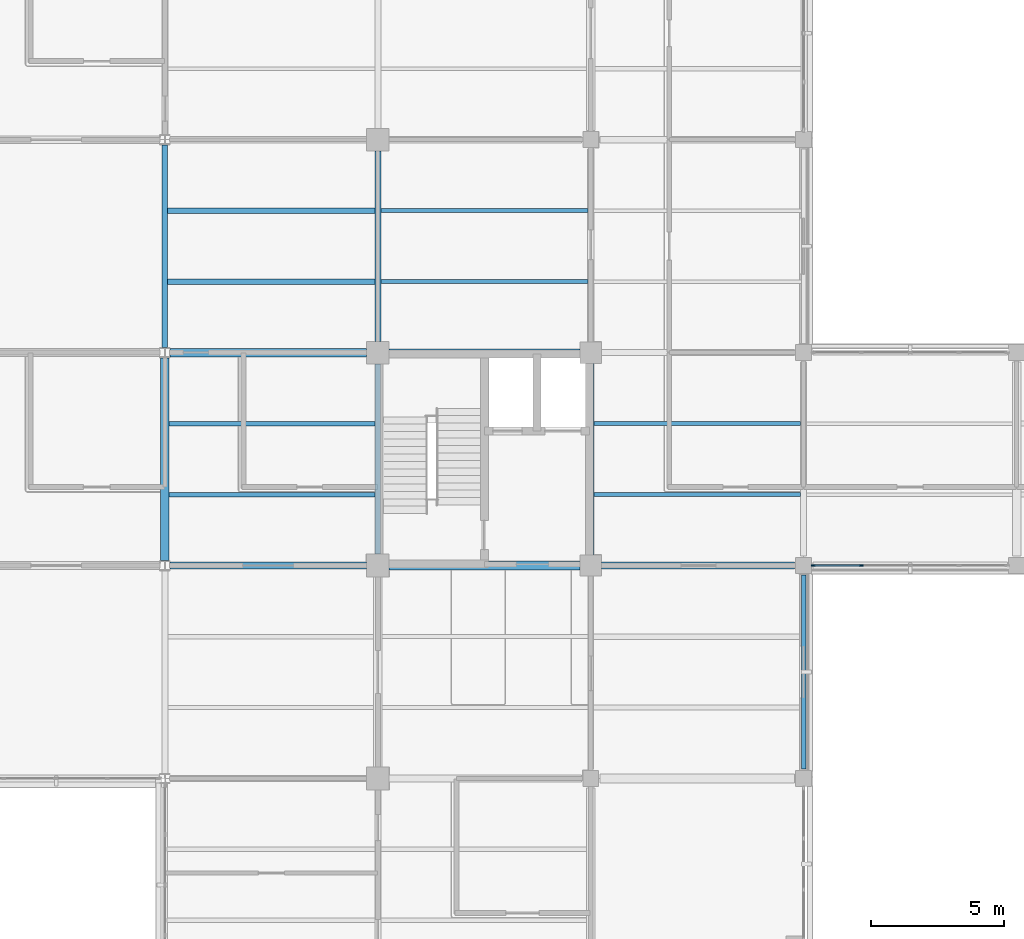
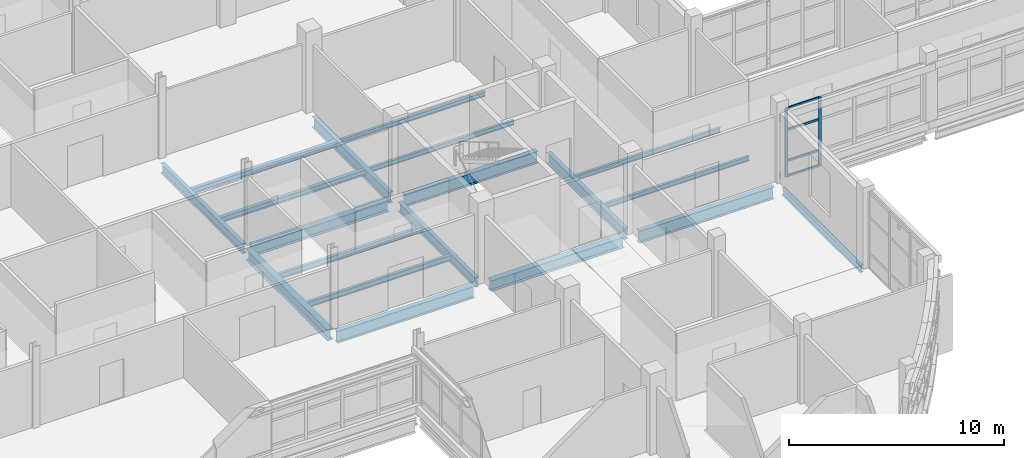
# One storey, part 29 of 121: 19 beams, 6 members, 1 element without a shape of its own.
"""IFC4 building model written with IfcOpenShell, lengths in metres."""

import ifcopenshell
import ifcopenshell.guid

model = None  # the IFC model being written
_history = None  # IfcOwnerHistory: only IFC2X3 demands one
_inside = {}  # id of a spatial element -> (the spatial element, [elements in it])
_under = {}  # id of a project, library or spatial element -> (it, [spatial elements below it])
_declared = {}  # id of a project -> (the project, [libraries it declares])
_typed = {}  # id of a type object -> (the type object, [elements of that type])
_made_of = {}  # id of a material, layer set ... -> (it, [elements and type objects made of it])


def new_model(schema):
    """Start an empty IFC model of exactly this schema.

    Asked for "IFC4X3", IfcOpenShell would pick the latest addendum, in which some entities
    have other attributes; the version numbers below select the first issue.
    IFC2X3 requires an IfcOwnerHistory on every rooted entity: one is made here for all.
    """
    global model, _history
    if schema == "IFC4X3":
        model = ifcopenshell.file(schema_version=(4, 3, 0, 0))
    else:
        model = ifcopenshell.file(schema=schema)
    _inside.clear()
    _under.clear()
    _declared.clear()
    _typed.clear()
    _made_of.clear()
    _history = None
    if model.schema == "IFC2X3":
        org = make("IfcOrganization", Name="unknown")
        user = make(
            "IfcPersonAndOrganization",
            ThePerson=make("IfcPerson", FamilyName="unknown"),
            TheOrganization=org,
        )
        app = make(
            "IfcApplication",
            ApplicationDeveloper=org,
            Version="unknown",
            ApplicationFullName="unknown",
            ApplicationIdentifier="unknown",
        )
        _history = make(
            "IfcOwnerHistory",
            OwningUser=user,
            OwningApplication=app,
            ChangeAction="ADDED",
            CreationDate=0,
        )
    return model


def make(cls, **values):
    """One entity of the class cls with the attributes given. An attribute that is None is left unset."""
    return model.create_entity(
        cls, **{name: value for name, value in values.items() if value is not None}
    )


def rooted(cls, **values):
    """An entity with a GlobalId (a new one), such as an element, a storey or a relation."""
    return make(cls, GlobalId=ifcopenshell.guid.new(), OwnerHistory=_history, **values)


def si_unit(unit_type, name, prefix=None):
    """IfcSIUnit, for example si_unit("LENGTHUNIT", "METRE", prefix="MILLI")."""
    return make("IfcSIUnit", UnitType=unit_type, Prefix=prefix, Name=name)


def derived_unit(unit_type, elements):
    """IfcDerivedUnit: a product of units, each with its exponent."""
    return make(
        "IfcDerivedUnit",
        Elements=[
            make("IfcDerivedUnitElement", Unit=unit, Exponent=power)
            for unit, power in elements
        ],
        UnitType=unit_type,
    )


def assignment(units):
    """IfcUnitAssignment: the units of a project."""
    return None if units is None else make("IfcUnitAssignment", Units=units)


def point(xyz):
    """IfcCartesianPoint."""
    return None if xyz is None else make("IfcCartesianPoint", Coordinates=xyz)


def direction(xyz):
    """IfcDirection."""
    return None if xyz is None else make("IfcDirection", DirectionRatios=xyz)


def frame(location, z_axis=None, x_axis=None):
    """IfcAxis2Placement3D, a coordinate frame: its origin and axes. An axis left out is left unset."""
    return make(
        "IfcAxis2Placement3D",
        Location=point(location),
        Axis=direction(z_axis),
        RefDirection=direction(x_axis),
    )


def frame_2d(location, x_axis=None):
    """IfcAxis2Placement2D, a coordinate frame in the plane: its origin and x axis."""
    return make(
        "IfcAxis2Placement2D", Location=point(location), RefDirection=direction(x_axis)
    )


def origin():
    """The frame at (0, 0, 0) with its axes left unset."""
    return frame((0.0, 0.0, 0.0))


def origin_2d():
    """The frame at (0, 0) in the plane with its x axis left unset."""
    return frame_2d((0.0, 0.0))


def place(relative_to, where):
    """IfcLocalPlacement: puts the frame where relative to a parent placement (None: the world)."""
    return make(
        "IfcLocalPlacement", PlacementRelTo=relative_to, RelativePlacement=where
    )


def context(
    kind, dimensions, precision=None, world=None, true_north=None, identifier=None
):
    """IfcGeometricRepresentationContext, for example the 3D "Model" context."""
    return make(
        "IfcGeometricRepresentationContext",
        ContextIdentifier=identifier,
        ContextType=kind,
        CoordinateSpaceDimension=dimensions,
        Precision=precision,
        WorldCoordinateSystem=world,
        TrueNorth=true_north,
    )


def subcontext(parent, identifier, kind, view, scale=None):
    """IfcGeometricRepresentationSubContext, for example "Body" below "Model"."""
    return make(
        "IfcGeometricRepresentationSubContext",
        ContextIdentifier=identifier,
        ContextType=kind,
        ParentContext=parent,
        TargetScale=scale,
        TargetView=view,
    )


def project(units=None, contexts=None):
    """IfcProject with its units and contexts."""
    return rooted(
        "IfcProject",
        Name="project",
        RepresentationContexts=contexts,
        UnitsInContext=assignment(units),
    )


def spatial(cls, under=None, at=None, **own):
    """A site, building, storey or space (cls), placed at a placement, below another one or the project."""
    s = rooted(cls, ObjectPlacement=at, **own)
    if under is not None:
        _under.setdefault(under.id(), (under, []))[1].append(s)
    return s


def profile(cls, at=None, kind="AREA", **sizes):
    """A parametric profile (cls). Its sizes go by their IFC names, for example OverallWidth=200.0."""
    return make(cls, ProfileType=kind, Position=at, **sizes)


def rectangle(**sizes):
    """IfcRectangleProfileDef."""
    return profile("IfcRectangleProfileDef", **sizes)


def i_section(**sizes):
    """IfcIShapeProfileDef."""
    return profile("IfcIShapeProfileDef", **sizes)


def extrude(swept, where, along, depth):
    """IfcExtrudedAreaSolid: the profile swept, set in the frame where, extruded along a direction by depth."""
    return make(
        "IfcExtrudedAreaSolid",
        SweptArea=swept,
        Position=where,
        ExtrudedDirection=direction(along),
        Depth=depth,
    )


def shape(context_of_items, identifier, shape_type, items):
    """IfcShapeRepresentation: the items that make up one representation, for example the "Body"."""
    return make(
        "IfcShapeRepresentation",
        ContextOfItems=context_of_items,
        RepresentationIdentifier=identifier,
        RepresentationType=shape_type,
        Items=items,
    )


def material(Name=None, Category=None):
    """IfcMaterial."""
    return make("IfcMaterial", Name=Name, Category=Category)


def layer(
    of_material, thickness, ventilated=None, Name=None, Category=None, Priority=None
):
    """IfcMaterialLayer: one layer of a wall or slab, of a material (None: an air gap)."""
    return make(
        "IfcMaterialLayer",
        Material=of_material,
        LayerThickness=thickness,
        IsVentilated=ventilated,
        Name=Name,
        Category=Category,
        Priority=Priority,
    )


def layer_set(layers, Name=None):
    """IfcMaterialLayerSet."""
    return make("IfcMaterialLayerSet", MaterialLayers=layers, LayerSetName=Name)


def material_profile(
    of_material, cross_section, Name=None, Category=None, Priority=None
):
    """IfcMaterialProfile: a cross section and its material."""
    return make(
        "IfcMaterialProfile",
        Name=Name,
        Material=of_material,
        Profile=cross_section,
        Priority=Priority,
        Category=Category,
    )


def profile_set(profiles, Name=None, composite=None):
    """IfcMaterialProfileSet."""
    return make(
        "IfcMaterialProfileSet",
        Name=Name,
        MaterialProfiles=profiles,
        CompositeProfile=composite,
    )


def made_of(thing, what):
    """Note that an element or type object is made of a material, layer set ...; save() writes the relation."""
    if what is not None:
        _made_of.setdefault(what.id(), (what, []))[1].append(thing)
    return thing


def type_object(cls, material=None, **own):
    """A type object (cls), such as IfcWallType, which elements share."""
    return made_of(rooted(cls, **own), material)


def element(
    cls,
    number,
    at=None,
    inside=None,
    cuts=None,
    type_object=None,
    material=None,
    context=None,
    identifier="Body",
    shape_type=None,
    held_by="IfcProductDefinitionShape",
    body=None,
    shapes=None,
    **own,
):
    """One element of the class cls, such as IfcWall. Its Tag is "e" and its number.

    at: its placement. inside: the storey or other place that contains it. cuts: it is an
    opening in that element (IfcRelVoidsElement). A single representation is given by context,
    identifier, shape_type and body (its items); several are given by shapes. held_by: the class
    of the entity that holds the representations. save() writes the other relations.
    """
    e = rooted(cls, Tag="e%d" % number, ObjectPlacement=at, **own)
    if body is not None:
        shapes = [shape(context, identifier, shape_type, body)]
    if shapes is not None:
        e.Representation = make(held_by, Representations=shapes)
    if inside is not None:
        _inside.setdefault(inside.id(), (inside, []))[1].append(e)
    if cuts is not None:
        rooted(
            "IfcRelVoidsElement", RelatingBuildingElement=cuts, RelatedOpeningElement=e
        )
    if type_object is not None:
        _typed.setdefault(type_object.id(), (type_object, []))[1].append(e)
    return made_of(e, material)


def aggregate(whole, parts):
    """IfcRelAggregates: a whole, such as a stair, and the parts it consists of."""
    return rooted("IfcRelAggregates", RelatingObject=whole, RelatedObjects=parts)


def save(model, path):
    """Write the relations noted so far, then the file.

    IfcRelAggregates (storeys below a building ...), IfcRelContainedInSpatialStructure (elements
    in a storey), IfcRelDefinesByType, IfcRelAssociatesMaterial and IfcRelDeclares: one each for
    every whole, place, type object, material and project.
    """
    for whole, parts in _under.values():
        aggregate(whole, parts)
    for where, things in _inside.values():
        rooted(
            "IfcRelContainedInSpatialStructure",
            RelatedElements=things,
            RelatingStructure=where,
        )
    for kind, things in _typed.values():
        rooted("IfcRelDefinesByType", RelatedObjects=things, RelatingType=kind)
    for what, things in _made_of.values():
        rooted("IfcRelAssociatesMaterial", RelatedObjects=things, RelatingMaterial=what)
    for by, libraries in _declared.values():
        rooted("IfcRelDeclares", RelatingContext=by, RelatedDefinitions=libraries)
    model.write(path)


model = new_model("IFC4")

# Units and contexts
model_context = context("Model", 3, precision=1e-05, world=origin(), true_north=direction((0.0, 1.0)))
body_context = subcontext(model_context, "Body", "Model", "MODEL_VIEW")
ifc_project = project(units=[si_unit("LENGTHUNIT", "METRE"), si_unit("AREAUNIT", "SQUARE_METRE"), si_unit("VOLUMEUNIT", "CUBIC_METRE"), si_unit("PLANEANGLEUNIT", "RADIAN"), si_unit("MASSUNIT", "GRAM", prefix="KILO"), derived_unit("THERMALTRANSMITTANCEUNIT", [(si_unit("MASSUNIT", "GRAM", prefix="KILO"), 1), (si_unit("TIMEUNIT", "SECOND"), -3), (si_unit("THERMODYNAMICTEMPERATUREUNIT", "KELVIN"), -1)])], contexts=[model_context])

# Site, building, storey
site_placement = place(None, origin())
site = spatial("IfcSite", under=ifc_project, at=site_placement, CompositionType="ELEMENT")
building_placement = place(site_placement, origin())
building = spatial("IfcBuilding", under=site, at=building_placement, Name="Veyamyaing Civic Hall", CompositionType="ELEMENT")
storey_placement = place(building_placement, frame((0.0, 0.0, 5.280029296875)))
storey = spatial("IfcBuildingStorey", under=building, at=storey_placement, Name="L01", CompositionType="ELEMENT", Elevation=5.280029296875)

# Beams
ifc_material_1 = material(Name="Steel ASTM A992", Category="steel")
ifc_material_profile_1 = material_profile(ifc_material_1, i_section(OverallWidth=0.256103515625, OverallDepth=0.693115234375, WebThickness=0.014404296875, FlangeThickness=0.023681640625, FilletRadius=0.013916015625, at=origin_2d()), Name="W690X170")
ifc_profile_set_1 = profile_set([ifc_material_profile_1], Name="Steel ASTM A992")
beam_type_1 = type_object("IfcBeamType", Name="B-04", PredefinedType="BEAM", material=ifc_profile_set_1)
beam_1_placement = place(storey_placement, frame((112.39990234375, 48.0, -0.591552734375), z_axis=(1.0, 0.0, 0.0), x_axis=(0.0, 1.0, 0.0)))
element("IfcBeam", 1, at=beam_1_placement, inside=storey, type_object=beam_type_1, Name="Girder B-04 L01 Grid G 15-16", PredefinedType="BEAM", context=body_context, shape_type="SweptSolid", body=[
    extrude(i_section(OverallWidth=0.256103515625, OverallDepth=0.693115234375, WebThickness=0.014404296875, FlangeThickness=0.023681640625, FilletRadius=0.013916015625, at=origin_2d()), origin(), (0.0, 0.0, 1.0), 7.25),
])
beam_2_placement = place(storey_placement, frame((104.425048828125, 56.0, -0.591552734375), z_axis=(1.0, 0.0, 0.0), x_axis=(0.0, 1.0, 0.0)))
element("IfcBeam", 2, at=beam_2_placement, inside=storey, type_object=beam_type_1, Name="Girder B-04 L01 Grid H 14-15", PredefinedType="BEAM", context=body_context, shape_type="SweptSolid", body=[
    extrude(i_section(OverallWidth=0.256103515625, OverallDepth=0.693115234375, WebThickness=0.014404296875, FlangeThickness=0.023681640625, FilletRadius=0.013916015625, at=origin_2d()), origin(), (0.0, 0.0, 1.0), 7.175048828125),
])
ifc_material_profile_2 = material_profile(ifc_material_1, i_section(OverallWidth=0.22998046875, OverallDepth=0.616943359375, WebThickness=0.01318359375, FlangeThickness=0.022216796875, FilletRadius=0.012939453125, at=origin_2d()), Name="W610X140")
ifc_profile_set_2 = profile_set([ifc_material_profile_2], Name="Steel ASTM A992")
beam_type_2 = type_object("IfcBeamType", Name="B-05", PredefinedType="BEAM", material=ifc_profile_set_2)
beam_3_placement = place(storey_placement, frame((104.0, 56.425048828125, -0.553466796875), z_axis=(0.0, 1.0, 0.0), x_axis=(-1.0, 0.0, 0.0)))
element("IfcBeam", 3, at=beam_3_placement, inside=storey, type_object=beam_type_2, Name="Girder B-05 L01 Grid 14 H-J", PredefinedType="BEAM", context=body_context, shape_type="SweptSolid", body=[
    extrude(i_section(OverallWidth=0.22998046875, OverallDepth=0.616943359375, WebThickness=0.01318359375, FlangeThickness=0.022216796875, FilletRadius=0.012939453125, at=origin_2d()), origin(), (0.0, 0.0, 1.0), 7.14990234375),
])
beam_4_placement = place(storey_placement, frame((112.0, 48.39990234375, -0.553466796875), z_axis=(0.0, 1.0, 0.0), x_axis=(-1.0, 0.0, 0.0)))
element("IfcBeam", 4, at=beam_4_placement, inside=storey, type_object=beam_type_2, Name="Girder B-05 L01 Grid 15 G-H", PredefinedType="BEAM", context=body_context, shape_type="SweptSolid", body=[
    extrude(i_section(OverallWidth=0.22998046875, OverallDepth=0.616943359375, WebThickness=0.01318359375, FlangeThickness=0.022216796875, FilletRadius=0.012939453125, at=origin_2d()), origin(), (0.0, 0.0, 1.0), 7.2001953125),
])
ifc_material_profile_3 = material_profile(ifc_material_1, i_section(OverallWidth=0.25390625, OverallDepth=0.68408203125, WebThickness=0.012451171875, FlangeThickness=0.01904296875, FilletRadius=0.013916015625, at=origin_2d()), Name="W690X140")
ifc_profile_set_3 = profile_set([ifc_material_profile_3], Name="Steel ASTM A992")
beam_type_3 = type_object("IfcBeamType", Name="B-14", PredefinedType="BEAM", material=ifc_profile_set_3)
beam_5_placement = place(storey_placement, frame((96.198974609375, 48.0, -0.5869140625), z_axis=(1.0, 0.0, 0.0), x_axis=(0.0, 1.0, 0.0)))
element("IfcBeam", 5, at=beam_5_placement, inside=storey, type_object=beam_type_3, Name="Girder B-14 L01 Grid G 13-14", PredefinedType="BEAM", context=body_context, shape_type="SweptSolid", body=[
    extrude(i_section(OverallWidth=0.25390625, OverallDepth=0.68408203125, WebThickness=0.012451171875, FlangeThickness=0.01904296875, FilletRadius=0.013916015625, at=origin_2d()), origin(), (0.0, 0.0, 1.0), 7.3759765625),
])
ifc_material_profile_4 = material_profile(ifc_material_1, i_section(OverallWidth=0.324951171875, OverallDepth=0.615966796875, WebThickness=0.013916015625, FlangeThickness=0.021484375, FilletRadius=0.013916015625, at=origin_2d()), Name="W610X174")
ifc_profile_set_4 = profile_set([ifc_material_profile_4], Name="Steel ASTM A992")
beam_type_4 = type_object("IfcBeamType", Name="B-15", PredefinedType="BEAM", material=ifc_profile_set_4)
beam_6_placement = place(storey_placement, frame((104.425048828125, 48.0, -0.552978515625), z_axis=(1.0, 0.0, 0.0), x_axis=(0.0, 1.0, 0.0)))
element("IfcBeam", 6, at=beam_6_placement, inside=storey, type_object=beam_type_4, Name="Girder B-15 L01 Grid G 14-15", PredefinedType="BEAM", context=body_context, shape_type="SweptSolid", body=[
    extrude(i_section(OverallWidth=0.324951171875, OverallDepth=0.615966796875, WebThickness=0.013916015625, FlangeThickness=0.021484375, FilletRadius=0.013916015625, at=origin_2d()), origin(), (0.0, 0.0, 1.0), 7.175048828125),
])
beam_7_placement = place(storey_placement, frame((96.198974609375, 56.0, -0.552978515625), z_axis=(1.0, 0.0, 0.0), x_axis=(0.0, 1.0, 0.0)))
element("IfcBeam", 7, at=beam_7_placement, inside=storey, type_object=beam_type_4, Name="Girder B-15 L01 Grid H 13-14", PredefinedType="BEAM", context=body_context, shape_type="SweptSolid", body=[
    extrude(i_section(OverallWidth=0.324951171875, OverallDepth=0.615966796875, WebThickness=0.013916015625, FlangeThickness=0.021484375, FilletRadius=0.013916015625, at=origin_2d()), origin(), (0.0, 0.0, 1.0), 7.3759765625),
])
beam_8_placement = place(storey_placement, frame((96.0, 48.193603515625, -0.552978515625), z_axis=(0.0, 1.0, 0.0), x_axis=(-1.0, 0.0, 0.0)))
element("IfcBeam", 8, at=beam_8_placement, inside=storey, type_object=beam_type_4, Name="Girder B-15 L01 Grid 13 G-H", PredefinedType="BEAM", context=body_context, shape_type="SweptSolid", body=[
    extrude(i_section(OverallWidth=0.324951171875, OverallDepth=0.615966796875, WebThickness=0.013916015625, FlangeThickness=0.021484375, FilletRadius=0.013916015625, at=origin_2d()), origin(), (0.0, 0.0, 1.0), 7.61279296875),
])
ifc_material_profile_5 = material_profile(ifc_material_1, i_section(OverallWidth=0.214111328125, OverallDepth=0.549072265625, WebThickness=0.0146484375, FlangeThickness=0.023681640625, FilletRadius=0.011962890625, at=origin_2d()), Name="W530X138")
ifc_profile_set_5 = profile_set([ifc_material_profile_5], Name="Steel ASTM A992")
beam_type_5 = type_object("IfcBeamType", Name="B-16", PredefinedType="BEAM", material=ifc_profile_set_5)
beam_9_placement = place(storey_placement, frame((96.0, 56.193603515625, -0.51953125), z_axis=(0.0, 1.0, 0.0), x_axis=(-1.0, 0.0, 0.0)))
element("IfcBeam", 9, at=beam_9_placement, inside=storey, type_object=beam_type_5, Name="Girder B-16 L01 Grid 13 H-J", PredefinedType="BEAM", context=body_context, shape_type="SweptSolid", body=[
    extrude(i_section(OverallWidth=0.214111328125, OverallDepth=0.549072265625, WebThickness=0.0146484375, FlangeThickness=0.023681640625, FilletRadius=0.011962890625, at=origin_2d()), origin(), (0.0, 0.0, 1.0), 7.61279296875),
])
beam_10_placement = place(storey_placement, frame((104.0, 48.425048828125, -0.51953125), z_axis=(0.0, 1.0, 0.0), x_axis=(-1.0, 0.0, 0.0)))
element("IfcBeam", 10, at=beam_10_placement, inside=storey, type_object=beam_type_5, Name="Girder B-16 L01 Grid 14 G-H", PredefinedType="BEAM", context=body_context, shape_type="SweptSolid", body=[
    extrude(i_section(OverallWidth=0.214111328125, OverallDepth=0.549072265625, WebThickness=0.0146484375, FlangeThickness=0.023681640625, FilletRadius=0.011962890625, at=origin_2d()), origin(), (0.0, 0.0, 1.0), 7.14990234375),
])
ifc_material_profile_6 = material_profile(ifc_material_1, i_section(OverallWidth=0.180908203125, OverallDepth=0.4169921875, WebThickness=0.010986328125, FlangeThickness=0.018310546875, FilletRadius=0.010009765625, at=origin_2d()), Name="W410X85")
ifc_profile_set_6 = profile_set([ifc_material_profile_6], Name="Steel ASTM A992")
beam_type_6 = type_object("IfcBeamType", Name="B-19", PredefinedType="SPANDREL", material=ifc_profile_set_6)
beam_11_placement = place(storey_placement, frame((120.0, 40.35009765625, -0.45361328125), z_axis=(0.0, 1.0, 0.0), x_axis=(-1.0, 0.0, 0.0)))
element("IfcBeam", 11, at=beam_11_placement, inside=storey, type_object=beam_type_6, Name="Girder B-19 L01 Grid 16 F-G", PredefinedType="SPANDREL", context=body_context, shape_type="SweptSolid", body=[
    extrude(i_section(OverallWidth=0.180908203125, OverallDepth=0.4169921875, WebThickness=0.010986328125, FlangeThickness=0.018310546875, FilletRadius=0.010009765625, at=origin_2d()), origin(), (0.0, 0.0, 1.0), 7.2998046875),
])

# Curtain wall, members
ifc_material_2 = material(Name="Anodised aluminium 6063-T6", Category="aluminium")
ifc_layer = layer(ifc_material_2, 0.159912109375, Name="Anodised aluminium 6063-T6")
ifc_layer_set = layer_set([ifc_layer], Name="Anodised aluminium 6063-T6")
curtain_wall_type = type_object("IfcCurtainWallType", Name="CW-02", PredefinedType="NOTDEFINED", material=ifc_layer_set)
curtain_wall_placement = place(storey_placement, origin())
curtain_wall = element("IfcCurtainWall", 12, at=curtain_wall_placement, inside=storey, type_object=curtain_wall_type, Name="Unitized curtain wall CW-02 L01 S 16.7", PredefinedType="NOTDEFINED")
ifc_material_profile_7 = material_profile(ifc_material_2, rectangle(XDim=0.06494140625, YDim=0.159912109375, at=origin_2d()), Name="ALU-MUL-65X160")
ifc_profile_set_7 = profile_set([ifc_material_profile_7], Name="Anodised aluminium 6063-T6")
member_type_1 = type_object("IfcMemberType", Name="CWM-01", PredefinedType="MULLION", material=ifc_profile_set_7)
member_1_placement = place(storey_placement, frame((120.362548828125, 48.0, 0.0), z_axis=(0.0, 0.0, 1.0), x_axis=(0.0, 1.0, 0.0)))
member_1 = element("IfcMember", 13, at=member_1_placement, type_object=member_type_1, Name="CW-02 mullion 1", PredefinedType="MULLION", context=body_context, shape_type="SweptSolid", body=[
    extrude(rectangle(XDim=0.06494140625, YDim=0.159912109375, at=origin_2d()), origin(), (0.0, 0.0, 1.0), 3.9140625),
])
member_2_placement = place(storey_placement, frame((122.1650390625, 48.0, 0.0), z_axis=(0.0, 0.0, 1.0), x_axis=(0.0, 1.0, 0.0)))
member_2 = element("IfcMember", 14, at=member_2_placement, type_object=member_type_1, Name="CW-02 mullion 2", PredefinedType="MULLION", context=body_context, shape_type="SweptSolid", body=[
    extrude(rectangle(XDim=0.06494140625, YDim=0.159912109375, at=origin_2d()), origin(), (0.0, 0.0, 1.0), 3.9140625),
])
ifc_material_profile_8 = material_profile(ifc_material_2, rectangle(XDim=0.06494140625, YDim=0.1201171875, at=origin_2d()), Name="ALU-TRN-65X120")
ifc_profile_set_8 = profile_set([ifc_material_profile_8], Name="Anodised aluminium 6063-T6")
member_type_2 = type_object("IfcMemberType", Name="CWT-01", PredefinedType="USERDEFINED", material=ifc_profile_set_8)
member_3_placement = place(storey_placement, frame((120.39501953125, 48.0, 0.032470703125), z_axis=(1.0, 0.0, 0.0), x_axis=(0.0, 1.0, 0.0)))
member_3 = element("IfcMember", 15, at=member_3_placement, type_object=member_type_2, Name="CW-02 transom 1.1", ObjectType="TRANSOM", PredefinedType="USERDEFINED", context=body_context, shape_type="SweptSolid", body=[
    extrude(rectangle(XDim=0.06494140625, YDim=0.1201171875, at=origin_2d()), origin(), (0.0, 0.0, 1.0), 1.737548828125),
])
member_4_placement = place(storey_placement, frame((120.39501953125, 48.0, 0.89990234375), z_axis=(1.0, 0.0, 0.0), x_axis=(0.0, 1.0, 0.0)))
member_4 = element("IfcMember", 16, at=member_4_placement, type_object=member_type_2, Name="CW-02 transom 1.2", ObjectType="TRANSOM", PredefinedType="USERDEFINED", context=body_context, shape_type="SweptSolid", body=[
    extrude(rectangle(XDim=0.06494140625, YDim=0.1201171875, at=origin_2d()), origin(), (0.0, 0.0, 1.0), 1.737548828125),
])
member_5_placement = place(storey_placement, frame((120.39501953125, 48.0, 2.661376953125), z_axis=(1.0, 0.0, 0.0), x_axis=(0.0, 1.0, 0.0)))
member_5 = element("IfcMember", 17, at=member_5_placement, type_object=member_type_2, Name="CW-02 transom 1.3", ObjectType="TRANSOM", PredefinedType="USERDEFINED", context=body_context, shape_type="SweptSolid", body=[
    extrude(rectangle(XDim=0.06494140625, YDim=0.1201171875, at=origin_2d()), origin(), (0.0, 0.0, 1.0), 1.737548828125),
])
member_6_placement = place(storey_placement, frame((120.39501953125, 48.0, 3.881591796875), z_axis=(1.0, 0.0, 0.0), x_axis=(0.0, 1.0, 0.0)))
member_6 = element("IfcMember", 18, at=member_6_placement, type_object=member_type_2, Name="CW-02 transom 1.4", ObjectType="TRANSOM", PredefinedType="USERDEFINED", context=body_context, shape_type="SweptSolid", body=[
    extrude(rectangle(XDim=0.06494140625, YDim=0.1201171875, at=origin_2d()), origin(), (0.0, 0.0, 1.0), 1.737548828125),
])
aggregate(curtain_wall, [member_1, member_2, member_3, member_4, member_5, member_6])

# Beams
ifc_material_profile_9 = material_profile(ifc_material_1, i_section(OverallWidth=0.1650390625, OverallDepth=0.31005859375, WebThickness=0.005859375, FlangeThickness=0.009765625, FilletRadius=0.010009765625, at=origin_2d()), Name="W310X39")
ifc_profile_set_9 = profile_set([ifc_material_profile_9], Name="Steel ASTM A992")
beam_type_7 = type_object("IfcBeamType", Name="J-05", PredefinedType="JOIST", material=ifc_profile_set_9)
for number, where, z_axis, x_axis, name in (
    (19, (96.160400390625, 50.666748046875, -0.400146484375), (1.0, 0.0, 0.0), (0.0, 1.0, 0.0), "Composite floor joist J-05 L01 13.7.1"),
    (20, (96.160400390625, 53.333251953125, -0.400146484375), (1.0, 0.0, 0.0), (0.0, 1.0, 0.0), "Composite floor joist J-05 L01 13.7.2"),
):
    element("IfcBeam", number, at=place(storey_placement, frame(where, z_axis=z_axis, x_axis=x_axis)), inside=storey, type_object=beam_type_7, Name=name, PredefinedType="JOIST", context=body_context, shape_type="SweptSolid", body=[
        extrude(i_section(OverallWidth=0.1650390625, OverallDepth=0.31005859375, WebThickness=0.005859375, FlangeThickness=0.009765625, FilletRadius=0.010009765625, at=origin_2d()), origin(), (0.0, 0.0, 1.0), 7.734619140625),
    ])
ifc_material_profile_10 = material_profile(ifc_material_1, i_section(OverallWidth=0.2041015625, OverallDepth=0.305908203125, WebThickness=0.008544921875, FlangeThickness=0.0146484375, FilletRadius=0.010009765625, at=origin_2d()), Name="W310X67")
ifc_profile_set_10 = profile_set([ifc_material_profile_10], Name="Steel ASTM A992")
beam_type_8 = type_object("IfcBeamType", Name="J-06", PredefinedType="JOIST", material=ifc_profile_set_10)
for number, where, z_axis, x_axis, name in (
    (21, (96.10498046875, 58.666748046875, -0.39794921875), (1.0, 0.0, 0.0), (0.0, 1.0, 0.0), "Composite floor joist J-06 L01 13.8.1"),
    (22, (96.10498046875, 61.333251953125, -0.39794921875), (1.0, 0.0, 0.0), (0.0, 1.0, 0.0), "Composite floor joist J-06 L01 13.8.2"),
):
    element("IfcBeam", number, at=place(storey_placement, frame(where, z_axis=z_axis, x_axis=x_axis)), inside=storey, type_object=beam_type_8, Name=name, PredefinedType="JOIST", context=body_context, shape_type="SweptSolid", body=[
        extrude(i_section(OverallWidth=0.2041015625, OverallDepth=0.305908203125, WebThickness=0.008544921875, FlangeThickness=0.0146484375, FilletRadius=0.010009765625, at=origin_2d()), origin(), (0.0, 0.0, 1.0), 7.781982421875),
    ])
ifc_material_profile_11 = material_profile(ifc_material_1, i_section(OverallWidth=0.14794921875, OverallDepth=0.26611328125, WebThickness=0.007568359375, FlangeThickness=0.012939453125, FilletRadius=0.010009765625, at=origin_2d()), Name="W250X45")
ifc_profile_set_11 = profile_set([ifc_material_profile_11], Name="Steel ASTM A992")
beam_type_9 = type_object("IfcBeamType", Name="J-07", PredefinedType="JOIST", material=ifc_profile_set_11)
for number, where, z_axis, x_axis, name in (
    (23, (104.113037109375, 58.666748046875, -0.3779296875), (1.0, 0.0, 0.0), (0.0, 1.0, 0.0), "Composite floor joist J-07 L01 14.8.1"),
    (24, (104.113037109375, 61.333251953125, -0.3779296875), (1.0, 0.0, 0.0), (0.0, 1.0, 0.0), "Composite floor joist J-07 L01 14.8.2"),
    (25, (112.113037109375, 50.666748046875, -0.3779296875), (1.0, 0.0, 0.0), (0.0, 1.0, 0.0), "Composite floor joist J-07 L01 15.7.1"),
    (26, (112.113037109375, 53.333251953125, -0.3779296875), (1.0, 0.0, 0.0), (0.0, 1.0, 0.0), "Composite floor joist J-07 L01 15.7.2"),
):
    element("IfcBeam", number, at=place(storey_placement, frame(where, z_axis=z_axis, x_axis=x_axis)), inside=storey, type_object=beam_type_9, Name=name, PredefinedType="JOIST", context=body_context, shape_type="SweptSolid", body=[
        extrude(i_section(OverallWidth=0.14794921875, OverallDepth=0.26611328125, WebThickness=0.007568359375, FlangeThickness=0.012939453125, FilletRadius=0.010009765625, at=origin_2d()), origin(), (0.0, 0.0, 1.0), 7.77490234375),
    ])

save(model, "model.ifc")
